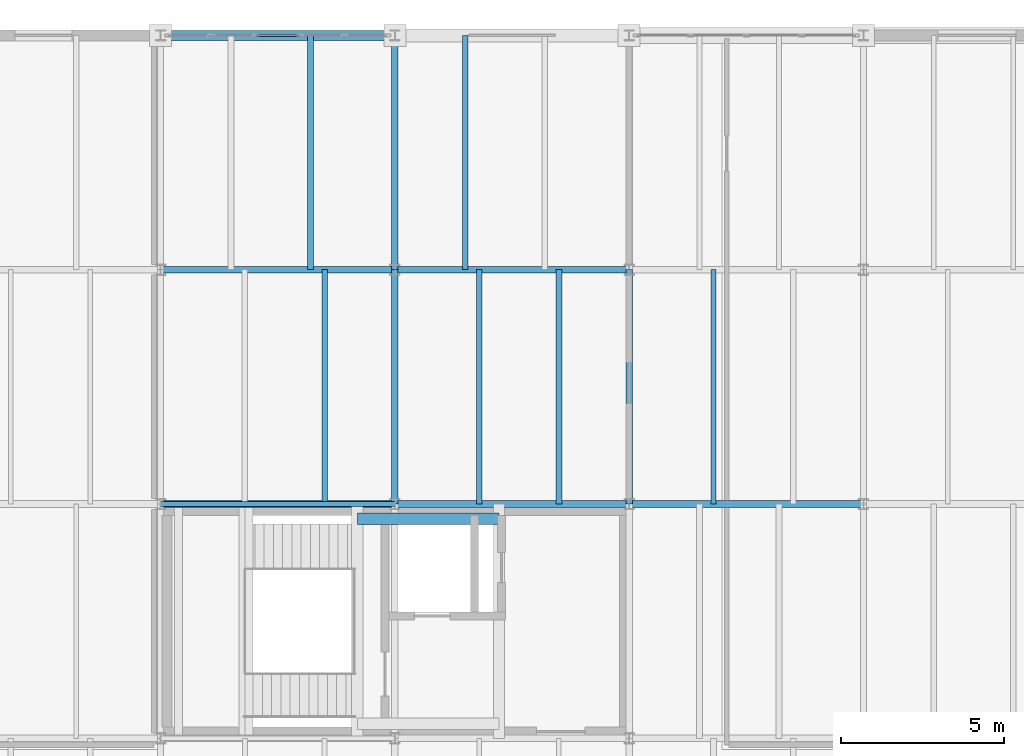
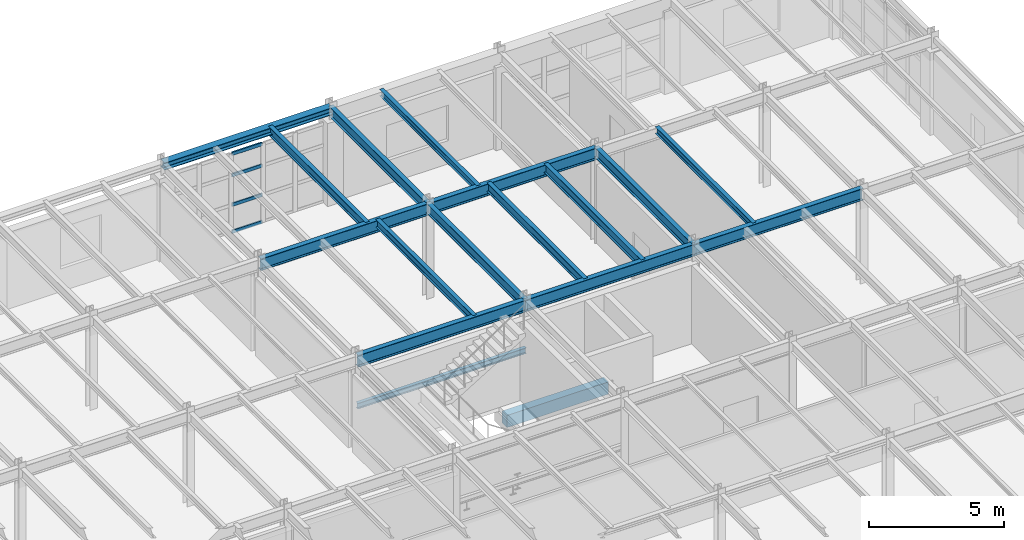
# One storey, part 62 of 137: 17 beams, 4 members, 1 element without a shape of its own.
"""IFC4 building model written with IfcOpenShell, lengths in metres."""

from ifc_helpers import new_model, si_unit, direction, frame, origin, origin_2d, place, context, subcontext, project, spatial, rectangle, hollow_rectangle, i_section, extrude, material, layer, layer_set, material_profile, profile_set, type_object, element, aggregate, save


model = new_model("IFC4")

# Units and contexts
model_context = context("Model", 3, precision=1e-05, world=origin(), true_north=direction((0.0, 1.0)))
body_context = subcontext(model_context, "Body", "Model", "MODEL_VIEW")
ifc_project = project(units=[si_unit("LENGTHUNIT", "METRE"), si_unit("AREAUNIT", "SQUARE_METRE"), si_unit("VOLUMEUNIT", "CUBIC_METRE"), si_unit("PLANEANGLEUNIT", "RADIAN"), si_unit("MASSUNIT", "GRAM", prefix="KILO")], contexts=[model_context])

# Site, building, storey
site_placement = place(None, origin())
site = spatial("IfcSite", under=ifc_project, at=site_placement, CompositionType="ELEMENT")
building_placement = place(site_placement, origin())
building = spatial("IfcBuilding", under=site, at=building_placement, Name="Kemerveld Promenade Tramway Depot", CompositionType="ELEMENT")
storey_placement = place(building_placement, frame((0.0, 0.0, 5.39990234375)))
storey = spatial("IfcBuildingStorey", under=building, at=storey_placement, Name="L01", CompositionType="ELEMENT", Elevation=5.39990234375)

# Beams
ifc_material_1 = material(Name="Steel S355", Category="steel")
ifc_material_profile_1 = material_profile(ifc_material_1, i_section(OverallWidth=0.2099609375, OverallDepth=0.53662109375, WebThickness=0.0107421875, FlangeThickness=0.017333984375, FilletRadius=0.0126953125, at=origin_2d()), Name="533x210x101 UB")
ifc_profile_set_1 = profile_set([ifc_material_profile_1], Name="Steel S355")
beam_type_1 = type_object("IfcBeamType", Name="BM-G05", PredefinedType="BEAM", material=ifc_profile_set_1)
for number, where, z_axis, x_axis, name in (
    (1, (28.800048828125, 64.800048828125, 3.99169921875), (1.0, 0.0, 0.0), (0.0, 1.0, 0.0), "BMX-L01-05-06-K"),
    (2, (36.0, 64.800048828125, 3.99169921875), (1.0, 0.0, 0.0), (0.0, 1.0, 0.0), "BMX-L01-06-07-K"),
    (3, (43.199951171875, 64.800048828125, 3.99169921875), (1.0, 0.0, 0.0), (0.0, 1.0, 0.0), "BMX-L01-07-08-K"),
    (4, (28.800048828125, 72.0, 3.99169921875), (1.0, 0.0, 0.0), (0.0, 1.0, 0.0), "BMX-L01-05-06-L"),
    (5, (36.0, 72.0, 3.99169921875), (1.0, 0.0, 0.0), (0.0, 1.0, 0.0), "BMX-L01-06-07-L"),
):
    element("IfcBeam", number, at=place(storey_placement, frame(where, z_axis=z_axis, x_axis=x_axis)), inside=storey, type_object=beam_type_1, Name=name, PredefinedType="BEAM", context=body_context, shape_type="SweptSolid", body=[
        extrude(i_section(OverallWidth=0.2099609375, OverallDepth=0.53662109375, WebThickness=0.0107421875, FlangeThickness=0.017333984375, FilletRadius=0.0126953125, at=origin_2d()), origin(), (0.0, 0.0, 1.0), 7.199951171875),
    ])
ifc_material_profile_2 = material_profile(ifc_material_1, i_section(OverallWidth=0.19140625, OverallDepth=0.4599609375, WebThickness=0.010009765625, FlangeThickness=0.01611328125, FilletRadius=0.01025390625, at=origin_2d()), Name="457x191x82 UB")
ifc_profile_set_2 = profile_set([ifc_material_profile_2], Name="Steel S355")
beam_type_2 = type_object("IfcBeamType", Name="BM-G06", PredefinedType="BEAM", material=ifc_profile_set_2)
for number, where, z_axis, x_axis, name in (
    (6, (36.0, 64.800048828125, 4.030029296875), (0.0, 1.0, 0.0), (-1.0, 0.0, 0.0), "BMY-L01-06-K-L"),
    (7, (36.0, 72.0, 4.030029296875), (0.0, 1.0, 0.0), (-1.0, 0.0, 0.0), "BMY-L01-06-L-M"),
    (8, (43.199951171875, 64.800048828125, 4.030029296875), (0.0, 1.0, 0.0), (-1.0, 0.0, 0.0), "BMY-L01-07-K-L"),
):
    element("IfcBeam", number, at=place(storey_placement, frame(where, z_axis=z_axis, x_axis=x_axis)), inside=storey, type_object=beam_type_2, Name=name, PredefinedType="BEAM", context=body_context, shape_type="SweptSolid", body=[
        extrude(i_section(OverallWidth=0.19140625, OverallDepth=0.4599609375, WebThickness=0.010009765625, FlangeThickness=0.01611328125, FilletRadius=0.01025390625, at=origin_2d()), origin(), (0.0, 0.0, 1.0), 7.199951171875),
    ])
ifc_material_profile_3 = material_profile(ifc_material_1, i_section(OverallWidth=0.311279296875, OverallDepth=0.3271484375, WebThickness=0.015869140625, FlangeThickness=0.02490234375, FilletRadius=0.01513671875, at=origin_2d()), Name="305x305x158 UC")
ifc_profile_set_3 = profile_set([ifc_material_profile_3], Name="Steel S355")
beam_type_3 = type_object("IfcBeamType", Name="BM-G13", PredefinedType="BEAM", material=ifc_profile_set_3)
beam_1_placement = place(storey_placement, frame((28.800048828125, 79.199951171875, 4.096435546875), z_axis=(1.0, 0.0, 0.0), x_axis=(0.0, 1.0, 0.0)))
element("IfcBeam", 9, at=beam_1_placement, inside=storey, type_object=beam_type_3, Name="BMX-L01-05-06-M", PredefinedType="BEAM", context=body_context, shape_type="SweptSolid", body=[
    extrude(i_section(OverallWidth=0.311279296875, OverallDepth=0.3271484375, WebThickness=0.015869140625, FlangeThickness=0.02490234375, FilletRadius=0.01513671875, at=origin_2d()), origin(), (0.0, 0.0, 1.0), 7.199951171875),
])
ifc_material_profile_4 = material_profile(ifc_material_1, i_section(OverallWidth=0.165771484375, OverallDepth=0.306640625, WebThickness=0.006591796875, FlangeThickness=0.01171875, FilletRadius=0.0087890625, at=origin_2d()), Name="305x165x46 UB")
ifc_profile_set_4 = profile_set([ifc_material_profile_4], Name="Steel S355")
beam_type_4 = type_object("IfcBeamType", Name="BM-J01", PredefinedType="JOIST", material=ifc_profile_set_4)
for number, where, z_axis, x_axis, name in (
    (10, (38.159912109375, 72.0, 4.106689453125), (0.0, 1.0, 0.0), (-1.0, 0.0, 0.0), "JST-L01-06-L-1"),
    (11, (45.7919921875, 64.800048828125, 4.106689453125), (0.0, 1.0, 0.0), (-1.0, 0.0, 0.0), "JST-L01-07-K-1"),
):
    element("IfcBeam", number, at=place(storey_placement, frame(where, z_axis=z_axis, x_axis=x_axis)), inside=storey, type_object=beam_type_4, Name=name, PredefinedType="JOIST", context=body_context, shape_type="SweptSolid", body=[
        extrude(i_section(OverallWidth=0.165771484375, OverallDepth=0.306640625, WebThickness=0.006591796875, FlangeThickness=0.01171875, FilletRadius=0.0087890625, at=origin_2d()), origin(), (0.0, 0.0, 1.0), 7.199951171875),
    ])
ifc_material_profile_5 = material_profile(ifc_material_1, i_section(OverallWidth=0.146484375, OverallDepth=0.256103515625, WebThickness=0.00634765625, FlangeThickness=0.010986328125, FilletRadius=0.007568359375, at=origin_2d()), Name="254x146x37 UB")
ifc_profile_set_5 = profile_set([ifc_material_profile_5], Name="Steel S355")
beam_type_5 = type_object("IfcBeamType", Name="BM-J02", PredefinedType="JOIST", material=ifc_profile_set_5)
beam_2_placement = place(storey_placement, frame((28.800048828125, 64.800048828125, 1.942138671875), z_axis=(1.0, 0.0, 0.0), x_axis=(0.0, 1.0, 0.0)))
element("IfcBeam", 12, at=beam_2_placement, inside=storey, type_object=beam_type_5, Name="BM-HLY-ST-03-L01-N", PredefinedType="JOIST", context=body_context, shape_type="SweptSolid", body=[
    extrude(i_section(OverallWidth=0.146484375, OverallDepth=0.256103515625, WebThickness=0.00634765625, FlangeThickness=0.010986328125, FilletRadius=0.007568359375, at=origin_2d()), origin(), (0.0, 0.0, 1.0), 7.199951171875),
])
ifc_material_profile_6 = material_profile(ifc_material_1, i_section(OverallWidth=0.172119140625, OverallDepth=0.35791015625, WebThickness=0.008056640625, FlangeThickness=0.012939453125, FilletRadius=0.01025390625, at=origin_2d()), Name="356x171x57 UB")
ifc_profile_set_6 = profile_set([ifc_material_profile_6], Name="Steel S355")
beam_type_6 = type_object("IfcBeamType", Name="BM-J04", PredefinedType="JOIST", material=ifc_profile_set_6)
beam_3_placement = place(storey_placement, frame((33.840087890625, 64.800048828125, 4.0810546875), z_axis=(0.0, 1.0, 0.0), x_axis=(-1.0, 0.0, 0.0)))
element("IfcBeam", 13, at=beam_3_placement, inside=storey, type_object=beam_type_6, Name="JST-L01-05-K-2", PredefinedType="JOIST", context=body_context, shape_type="SweptSolid", body=[
    extrude(i_section(OverallWidth=0.172119140625, OverallDepth=0.35791015625, WebThickness=0.008056640625, FlangeThickness=0.012939453125, FilletRadius=0.01025390625, at=origin_2d()), origin(), (0.0, 0.0, 1.0), 7.199951171875),
])
ifc_material_profile_7 = material_profile(ifc_material_1, i_section(OverallWidth=0.1787109375, OverallDepth=0.409423828125, WebThickness=0.0087890625, FlangeThickness=0.014404296875, FilletRadius=0.01025390625, at=origin_2d()), Name="406x178x67 UB")
ifc_profile_set_7 = profile_set([ifc_material_profile_7], Name="Steel S355")
beam_type_7 = type_object("IfcBeamType", Name="BM-J05", PredefinedType="JOIST", material=ifc_profile_set_7)
for number, where, z_axis, x_axis, name in (
    (14, (33.407958984375, 72.0, 4.055419921875), (0.0, 1.0, 0.0), (-1.0, 0.0, 0.0), "JST-L01-05-L-2"),
    (15, (38.592041015625, 64.800048828125, 4.055419921875), (0.0, 1.0, 0.0), (-1.0, 0.0, 0.0), "JST-L01-06-K-1"),
    (16, (41.0400390625, 64.800048828125, 4.055419921875), (0.0, 1.0, 0.0), (-1.0, 0.0, 0.0), "JST-L01-06-K-2"),
):
    element("IfcBeam", number, at=place(storey_placement, frame(where, z_axis=z_axis, x_axis=x_axis)), inside=storey, type_object=beam_type_7, Name=name, PredefinedType="JOIST", context=body_context, shape_type="SweptSolid", body=[
        extrude(i_section(OverallWidth=0.1787109375, OverallDepth=0.409423828125, WebThickness=0.0087890625, FlangeThickness=0.014404296875, FilletRadius=0.01025390625, at=origin_2d()), origin(), (0.0, 0.0, 1.0), 7.199951171875),
    ])
ifc_material_2 = material(Name="Concrete C40/50", Category="concrete")
ifc_material_profile_8 = material_profile(ifc_material_2, rectangle(XDim=0.35009765625, YDim=0.550048828125, at=origin_2d()), Name="RC-BM-350x550")
ifc_profile_set_8 = profile_set([ifc_material_profile_8], Name="Concrete C40/50")
beam_type_8 = type_object("IfcBeamType", Name="BM-RC3", PredefinedType="BEAM", material=ifc_profile_set_8)
beam_4_placement = place(storey_placement, frame((34.85009765625, 64.35009765625, -0.52978515625), z_axis=(1.0, 0.0, 0.0), x_axis=(0.0, 1.0, 0.0)))
element("IfcBeam", 17, at=beam_4_placement, inside=storey, type_object=beam_type_8, Name="BM-COREX-C3-L01-N", PredefinedType="BEAM", context=body_context, shape_type="SweptSolid", body=[
    extrude(rectangle(XDim=0.35009765625, YDim=0.550048828125, at=origin_2d()), origin(), (0.0, 0.0, 1.0), 4.349853515625),
])

# Curtain wall, members
ifc_material_3 = material(Name="Bronze anodised aluminium and solar glass", Category="aluminium")
ifc_layer = layer(ifc_material_3, 0.199951171875)
ifc_layer_set = layer_set([ifc_layer], Name="CW-SYS-08")
curtain_wall_type = type_object("IfcCurtainWallType", Name="CW-SYS-08", PredefinedType="USERDEFINED", material=ifc_layer_set)
curtain_wall_placement = place(storey_placement, origin())
curtain_wall = element("IfcCurtainWall", 18, at=curtain_wall_placement, inside=storey, type_object=curtain_wall_type, Name="CW-L01-V5N-05", ObjectType="GLAZED_CURTAIN_WALL", PredefinedType="USERDEFINED")
ifc_material_4 = material(Name="Bronze anodised aluminium", Category="aluminium")
ifc_material_profile_9 = material_profile(ifc_material_4, hollow_rectangle(XDim=0.06494140625, YDim=0.14990234375, WallThickness=0.00439453125, InnerFilletRadius=0.001953125, OuterFilletRadius=0.00439453125, at=origin_2d()), Name="CW-TRN-150x65")
ifc_profile_set_9 = profile_set([ifc_material_profile_9], Name="Bronze anodised aluminium")
member_type = type_object("IfcMemberType", Name="CW-TRN-B", PredefinedType="USERDEFINED", material=ifc_profile_set_9)
member_1_placement = place(storey_placement, frame((31.754150390625, 79.199951171875, 0.03271484375), z_axis=(1.0, 0.0, 0.0), x_axis=(0.0, 1.0, 0.0)))
member_1 = element("IfcMember", 19, at=member_1_placement, type_object=member_type, Name="CW08 transom 3.1", ObjectType="TRANSOM", PredefinedType="USERDEFINED", context=body_context, shape_type="SweptSolid", body=[
    extrude(hollow_rectangle(XDim=0.06494140625, YDim=0.14990234375, WallThickness=0.00439453125, InnerFilletRadius=0.001953125, OuterFilletRadius=0.00439453125, at=origin_2d()), origin(), (0.0, 0.0, 1.0), 1.291748046875),
])
member_2_placement = place(storey_placement, frame((31.754150390625, 79.199951171875, 1.257080078125), z_axis=(1.0, 0.0, 0.0), x_axis=(0.0, 1.0, 0.0)))
member_2 = element("IfcMember", 20, at=member_2_placement, type_object=member_type, Name="CW08 transom 3.2", ObjectType="TRANSOM", PredefinedType="USERDEFINED", context=body_context, shape_type="SweptSolid", body=[
    extrude(hollow_rectangle(XDim=0.06494140625, YDim=0.14990234375, WallThickness=0.00439453125, InnerFilletRadius=0.001953125, OuterFilletRadius=0.00439453125, at=origin_2d()), origin(), (0.0, 0.0, 1.0), 1.291748046875),
])
member_3_placement = place(storey_placement, frame((31.754150390625, 79.199951171875, 2.585205078125), z_axis=(1.0, 0.0, 0.0), x_axis=(0.0, 1.0, 0.0)))
member_3 = element("IfcMember", 21, at=member_3_placement, type_object=member_type, Name="CW08 transom 3.3", ObjectType="TRANSOM", PredefinedType="USERDEFINED", context=body_context, shape_type="SweptSolid", body=[
    extrude(hollow_rectangle(XDim=0.06494140625, YDim=0.14990234375, WallThickness=0.00439453125, InnerFilletRadius=0.001953125, OuterFilletRadius=0.00439453125, at=origin_2d()), origin(), (0.0, 0.0, 1.0), 1.291748046875),
])
member_4_placement = place(storey_placement, frame((31.754150390625, 79.199951171875, 3.5576171875), z_axis=(1.0, 0.0, 0.0), x_axis=(0.0, 1.0, 0.0)))
member_4 = element("IfcMember", 22, at=member_4_placement, type_object=member_type, Name="CW08 transom 3.4", ObjectType="TRANSOM", PredefinedType="USERDEFINED", context=body_context, shape_type="SweptSolid", body=[
    extrude(hollow_rectangle(XDim=0.06494140625, YDim=0.14990234375, WallThickness=0.00439453125, InnerFilletRadius=0.001953125, OuterFilletRadius=0.00439453125, at=origin_2d()), origin(), (0.0, 0.0, 1.0), 1.291748046875),
])
aggregate(curtain_wall, [member_1, member_2, member_3, member_4])

save(model, "model.ifc")
